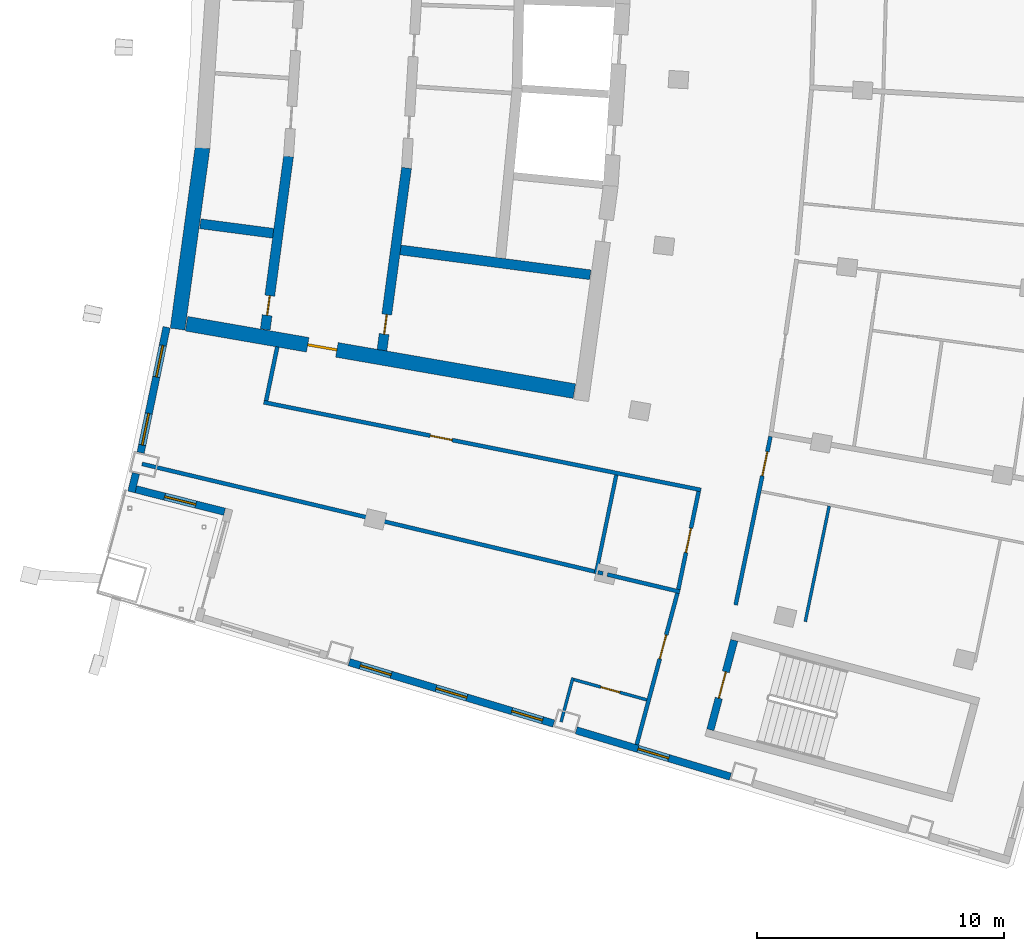
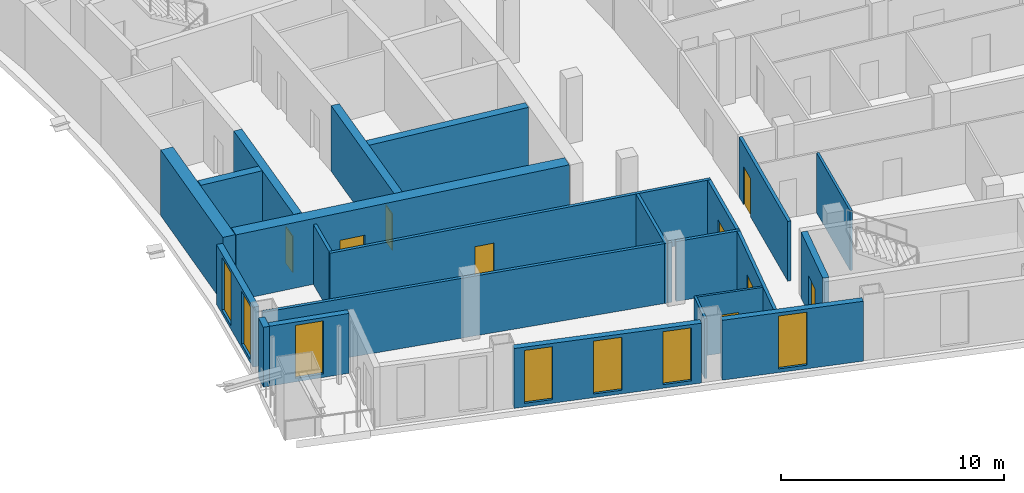
# One storey, part 9 of 21: 24 walls, 9 doors, 7 windows, 16 openings.
"""IFC4 building model written with IfcOpenShell, lengths in metres."""

from ifc_helpers import new_model, si_unit, direction, frame, frame_2d, origin, place, context, subcontext, project, spatial, rectangle, extrude, material, layer, layer_set, type_object, element, fill, save


model = new_model("IFC4")

# Units and contexts
model_context = context("Model", 3, precision=1e-05, world=origin(), true_north=direction((0.0, 1.0)))
body_context = subcontext(model_context, "Body", "Model", "MODEL_VIEW")
ifc_project = project(units=[si_unit("LENGTHUNIT", "METRE"), si_unit("AREAUNIT", "SQUARE_METRE"), si_unit("VOLUMEUNIT", "CUBIC_METRE"), si_unit("PLANEANGLEUNIT", "RADIAN"), si_unit("MASSUNIT", "GRAM", prefix="KILO")], contexts=[model_context])

# Site, building, storey
site_placement = place(None, origin())
site = spatial("IfcSite", under=ifc_project, at=site_placement, CompositionType="ELEMENT")
building_placement = place(site_placement, origin())
building = spatial("IfcBuilding", under=site, at=building_placement, Name="Alderwake Tower", CompositionType="ELEMENT")
storey_placement = place(building_placement, frame((0.0, 0.0, 207.199951171875)))
storey = spatial("IfcBuildingStorey", under=building, at=storey_placement, Name="L51", CompositionType="ELEMENT", Elevation=207.199951171875)

# Wall
ifc_material_1 = material(Name="Concrete C70/85", Category="concrete")
ifc_layer_1 = layer(ifc_material_1, 0.60009765625)
ifc_layer_set_1 = layer_set([ifc_layer_1], Name="Core wall outer 600 C70-85")
wall_type_1 = type_object("IfcWallType", Name="Core wall outer 600 C70-85", PredefinedType="SHEAR", material=ifc_layer_set_1)
wall_1_placement = place(storey_placement, frame((15.321533203125, 44.146240234375, 0.0), z_axis=(0.0, 0.0, 1.0), x_axis=(0.136316498814, 0.990665338119, 0.0)))
element("IfcWall", 1, at=wall_1_placement, inside=storey, type_object=wall_type_1, Name="Core wall CW.037", PredefinedType="SHEAR", context=body_context, shape_type="SweptSolid", body=[
    extrude(rectangle(XDim=7.41455078125, YDim=0.60009765625, at=frame_2d((3.707275390625, 0.0))), origin(), (0.0, 0.0, 1.0), 3.60009765625),
])

# Wall, opening, door
wall_2_placement = place(storey_placement, frame((31.386962890625, 41.63525390625, 0.0), z_axis=(0.0, 0.0, 1.0), x_axis=(-0.985223108003, 0.171275881127, 0.0)))
wall_2 = element("IfcWall", 2, at=wall_2_placement, inside=storey, type_object=wall_type_1, Name="Core wall CW.072", PredefinedType="SHEAR", context=body_context, shape_type="SweptSolid", body=[
    extrude(rectangle(XDim=15.937744140625, YDim=0.60009765625, at=frame_2d((7.96875, 0.0))), origin(), (0.0, 0.0, 1.0), 3.60009765625),
])
opening_1_placement = place(wall_2_placement, frame((9.757568359375, 0.0, 0.0)))
opening_1 = element("IfcOpeningElement", 3, at=opening_1_placement, cuts=wall_2, Name="Opening C003", PredefinedType="OPENING", context=body_context, shape_type="SweptSolid", body=[
    extrude(rectangle(XDim=1.199951171875, YDim=2.10009765625, at=frame_2d((0.60009765625, 1.050048828125))), frame((0.0, 0.31005859375, 0.0), z_axis=(0.0, -1.0, 0.0), x_axis=(1.0, 0.0, 0.0)), (0.0, 0.0, 1.0), 0.6201171875),
])
ifc_material_2 = material(Name="Steel-framed fire door leaf", Category="steel")
door_type_1 = type_object("IfcDoorType", Name="Core lobby exit door 1200 fire-rated", OperationType="SINGLE_SWING_LEFT", PredefinedType="DOOR", material=ifc_material_2)
door_1_placement = place(opening_1_placement, origin())
door_1 = element("IfcDoor", 4, at=door_1_placement, inside=storey, type_object=door_type_1, Name="Lobby door", OperationType="SINGLE_SWING_LEFT", OverallHeight=2.10009765625, OverallWidth=1.199951171875, PredefinedType="DOOR", context=body_context, shape_type="SweptSolid", body=[
    extrude(rectangle(XDim=1.199951171875, YDim=2.10009765625, at=frame_2d((0.60009765625, 1.050048828125))), frame((0.0, 0.050048828125, 0.0), z_axis=(0.0, -1.0, 0.0), x_axis=(1.0, 0.0, 0.0)), (0.0, 0.0, 1.0), 0.10009765625),
])
fill(opening_1, door_1)

ifc_material_3 = material(Name="Concrete C70/85", Category="concrete")
ifc_layer_2 = layer(ifc_material_3, 0.39990234375)
ifc_layer_set_2 = layer_set([ifc_layer_2], Name="Core wall spine 400 C70-85")
wall_type_2 = type_object("IfcWallType", Name="Core wall spine 400 C70-85", PredefinedType="SHEAR", material=ifc_layer_set_2)
wall_3_placement = place(storey_placement, frame((19.814697265625, 51.143798828125, 0.0), z_axis=(0.0, 0.0, 1.0), x_axis=(-0.133333838703, -0.991071181831, 0.0)))
wall_3 = element("IfcWall", 5, at=wall_3_placement, inside=storey, type_object=wall_type_2, Name="Core wall CW.033", PredefinedType="SHEAR", context=body_context, shape_type="SweptSolid", body=[
    extrude(rectangle(XDim=7.078857421875, YDim=0.39990234375, at=frame_2d((3.53955078125, 0.0))), origin(), (0.0, 0.0, 1.0), 3.60009765625),
])
opening_2_placement = place(wall_3_placement, frame((5.69677734375, 0.0, 0.0)))
opening_2 = element("IfcOpeningElement", 6, at=opening_2_placement, cuts=wall_3, Name="Opening C007", PredefinedType="OPENING", context=body_context, shape_type="SweptSolid", body=[
    extrude(rectangle(XDim=0.800048828125, YDim=2.0, at=frame_2d((0.39990234375, 1.0))), frame((0.0, 0.2099609375, 0.0), z_axis=(0.0, -1.0, 0.0), x_axis=(1.0, 0.0, 0.0)), (0.0, 0.0, 1.0), 0.419921875),
])
ifc_material_4 = material(Name="Painted steel leaf, rated", Category="steel")
door_type_2 = type_object("IfcDoorType", Name="Riser access door 800", OperationType="SINGLE_SWING_LEFT", PredefinedType="DOOR", material=ifc_material_4)
door_2_placement = place(opening_2_placement, origin())
door_2 = element("IfcDoor", 7, at=door_2_placement, inside=storey, type_object=door_type_2, Name="Riser access door", OperationType="SINGLE_SWING_LEFT", OverallHeight=2.0, OverallWidth=0.800048828125, PredefinedType="DOOR", context=body_context, shape_type="SweptSolid", body=[
    extrude(rectangle(XDim=0.800048828125, YDim=2.0, at=frame_2d((0.39990234375, 1.0))), frame((0.0, 0.02490234375, 0.0), z_axis=(0.0, -1.0, 0.0), x_axis=(1.0, 0.0, 0.0)), (0.0, 0.0, 1.0), 0.050048828125),
])
fill(opening_2, door_2)

wall_4_placement = place(storey_placement, frame((23.597412109375, 43.29248046875, 0.0), z_axis=(0.0, 0.0, 1.0), x_axis=(0.133499326361, 0.99104890387, 0.0)))
wall_4 = element("IfcWall", 8, at=wall_4_placement, inside=storey, type_object=wall_type_2, Name="Core wall CW.047", PredefinedType="SHEAR", context=body_context, shape_type="SweptSolid", body=[
    extrude(rectangle(XDim=7.44677734375, YDim=0.39990234375, at=frame_2d((3.723388671875, 0.0))), origin(), (0.0, 0.0, 1.0), 3.60009765625),
])
opening_3_placement = place(wall_4_placement, frame((0.65771484375, 0.0, 0.0)))
opening_3 = element("IfcOpeningElement", 9, at=opening_3_placement, cuts=wall_4, Name="Opening C014", PredefinedType="OPENING", context=body_context, shape_type="SweptSolid", body=[
    extrude(rectangle(XDim=0.800048828125, YDim=2.0, at=frame_2d((0.39990234375, 1.0))), frame((0.0, 0.2099609375, 0.0), z_axis=(0.0, -1.0, 0.0), x_axis=(1.0, 0.0, 0.0)), (0.0, 0.0, 1.0), 0.419921875),
])
door_3_placement = place(opening_3_placement, origin())
door_3 = element("IfcDoor", 10, at=door_3_placement, inside=storey, type_object=door_type_2, Name="Riser access door", OperationType="SINGLE_SWING_RIGHT", OverallHeight=2.0, OverallWidth=0.800048828125, PredefinedType="DOOR", context=body_context, shape_type="SweptSolid", body=[
    extrude(rectangle(XDim=0.800048828125, YDim=2.0, at=frame_2d((0.39990234375, 1.0))), frame((0.0, 0.02490234375, 0.0), z_axis=(0.0, -1.0, 0.0), x_axis=(1.0, 0.0, 0.0)), (0.0, 0.0, 1.0), 0.050048828125),
])
fill(opening_3, door_3)

# Walls
wall_5_placement = place(storey_placement, frame((16.24169921875, 48.412353515625, 0.0), z_axis=(0.0, 0.0, 1.0), x_axis=(0.991548658387, -0.129735338481, 0.0)))
element("IfcWall", 11, at=wall_5_placement, inside=storey, type_object=wall_type_2, Name="Core wall CW.067", PredefinedType="SHEAR", context=body_context, shape_type="SweptSolid", body=[
    extrude(rectangle(XDim=2.97705078125, YDim=0.39990234375, at=frame_2d((1.488525390625, 0.0))), origin(), (0.0, 0.0, 1.0), 3.60009765625),
])
wall_6_placement = place(storey_placement, frame((24.34619140625, 47.352294921875, 0.0), z_axis=(0.0, 0.0, 1.0), x_axis=(0.991554866591, -0.129687881233, 0.0)))
element("IfcWall", 12, at=wall_6_placement, inside=storey, type_object=wall_type_2, Name="Core wall CW.069", PredefinedType="SHEAR", context=body_context, shape_type="SweptSolid", body=[
    extrude(rectangle(XDim=7.752197265625, YDim=0.39990234375, at=frame_2d((3.8759765625, 0.0))), origin(), (0.0, 0.0, 1.0), 3.60009765625),
])

# Wall, opening, door
ifc_material_5 = material(Name="Concrete C70/85", Category="concrete")
ifc_layer_3 = layer(ifc_material_5, 0.300048828125)
ifc_layer_set_3 = layer_set([ifc_layer_3], Name="Core wall stair enclosure 300 C70-85")
wall_type_3 = type_object("IfcWallType", Name="Core wall stair enclosure 300 C70-85", PredefinedType="SHEAR", material=ifc_layer_set_3)
wall_7_placement = place(storey_placement, frame((36.89501953125, 27.923828125, 0.0), z_axis=(0.0, 0.0, 1.0), x_axis=(0.257350630826, 0.966318090907, 0.0)))
wall_7 = element("IfcWall", 13, at=wall_7_placement, inside=storey, type_object=wall_type_3, Name="Core wall CW.087", PredefinedType="SHEAR", context=body_context, shape_type="SweptSolid", body=[
    extrude(rectangle(XDim=3.75, YDim=0.300048828125, at=frame_2d((1.875, 0.0))), origin(), (0.0, 0.0, 1.0), 3.60009765625),
])
opening_4_placement = place(wall_7_placement, frame((1.324951171875, 0.0, 0.0)))
opening_4 = element("IfcOpeningElement", 14, at=opening_4_placement, cuts=wall_7, Name="Opening C065", PredefinedType="OPENING", context=body_context, shape_type="SweptSolid", body=[
    extrude(rectangle(XDim=1.10009765625, YDim=2.10009765625, at=frame_2d((0.550048828125, 1.050048828125))), frame((0.0, 0.159912109375, 0.0), z_axis=(0.0, -1.0, 0.0), x_axis=(1.0, 0.0, 0.0)), (0.0, 0.0, 1.0), 0.320068359375),
])
ifc_material_6 = material(Name="Steel-framed fire door leaf", Category="steel")
door_type_3 = type_object("IfcDoorType", Name="Core stair door 1100 fire-rated", OperationType="SINGLE_SWING_LEFT", PredefinedType="DOOR", material=ifc_material_6)
door_4_placement = place(opening_4_placement, origin())
door_4 = element("IfcDoor", 15, at=door_4_placement, inside=storey, type_object=door_type_3, Name="Stair door", OperationType="SINGLE_SWING_LEFT", OverallHeight=2.10009765625, OverallWidth=1.10009765625, PredefinedType="DOOR", context=body_context, shape_type="SweptSolid", body=[
    extrude(rectangle(XDim=1.10009765625, YDim=2.10009765625, at=frame_2d((0.550048828125, 1.050048828125))), frame((0.0, 0.02490234375, 0.0), z_axis=(0.0, -1.0, 0.0), x_axis=(1.0, 0.0, 0.0)), (0.0, 0.0, 1.0), 0.050048828125),
])
fill(opening_4, door_4)

# Wall
ifc_material_7 = material(Name="Gypsum board on metal studs, rated")
ifc_layer_4 = layer(ifc_material_7, 0.159912109375)
ifc_layer_set_4 = layer_set([ifc_layer_4], Name="Corridor wall 160")
wall_type_4 = type_object("IfcWallType", Name="Corridor wall 160", PredefinedType="PARTITIONING", material=ifc_layer_set_4)
wall_8_placement = place(storey_placement, frame((13.884033203125, 38.68798828125, 0.0), z_axis=(0.0, 0.0, 1.0), x_axis=(0.972897690171, -0.231235993004, 0.0)))
element("IfcWall", 16, at=wall_8_placement, inside=storey, type_object=wall_type_4, Name="WL/L51/W08", PredefinedType="PARTITIONING", context=body_context, shape_type="SweptSolid", body=[
    extrude(rectangle(XDim=18.8271484375, YDim=0.159912109375, at=frame_2d((9.41357421875, 0.0))), origin(), (0.0, 0.0, 1.0), 3.280029296875),
])

# Wall, opening, door
wall_9_placement = place(storey_placement, frame((36.513427734375, 37.63427734375, 0.0), z_axis=(0.0, 0.0, 1.0), x_axis=(-0.980470254867, 0.1966674333, 0.0)))
wall_9 = element("IfcWall", 17, at=wall_9_placement, inside=storey, type_object=wall_type_4, Name="WL/L51/W10", PredefinedType="PARTITIONING", context=body_context, shape_type="SweptSolid", body=[
    extrude(rectangle(XDim=18.053466796875, YDim=0.159912109375, at=frame_2d((9.02685546875, 0.0))), origin(), (0.0, 0.0, 1.0), 3.280029296875),
])
opening_5_placement = place(wall_9_placement, frame((10.277099609375, 0.0, 0.0)))
opening_5 = element("IfcOpeningElement", 18, at=opening_5_placement, cuts=wall_9, Name="Opening R14-SBS1", PredefinedType="OPENING", context=body_context, shape_type="SweptSolid", body=[
    extrude(rectangle(XDim=0.89990234375, YDim=2.10009765625, at=frame_2d((0.449951171875, 1.050048828125))), frame((0.0, 0.08984375, 0.0), z_axis=(0.0, -1.0, 0.0), x_axis=(1.0, 0.0, 0.0)), (0.0, 0.0, 1.0), 0.179931640625),
])
ifc_material_8 = material(Name="Painted timber leaf", Category="wood")
door_type_4 = type_object("IfcDoorType", Name="Room door 900", OperationType="SINGLE_SWING_LEFT", PredefinedType="DOOR", material=ifc_material_8)
door_5_placement = place(opening_5_placement, origin())
door_5 = element("IfcDoor", 19, at=door_5_placement, inside=storey, type_object=door_type_4, Name="DR/L51/SBS1", OperationType="SINGLE_SWING_LEFT", OverallHeight=2.10009765625, OverallWidth=0.89990234375, PredefinedType="DOOR", context=body_context, shape_type="SweptSolid", body=[
    extrude(rectangle(XDim=0.89990234375, YDim=2.10009765625, at=frame_2d((0.449951171875, 1.050048828125))), frame((0.0, 0.02490234375, 0.0), z_axis=(0.0, -1.0, 0.0), x_axis=(1.0, 0.0, 0.0)), (0.0, 0.0, 1.0), 0.050048828125),
])
fill(opening_5, door_5)

# Walls
wall_10_placement = place(storey_placement, frame((19.35888671875, 43.430908203125, 0.0), z_axis=(0.0, 0.0, 1.0), x_axis=(-0.202554916658, -0.979270905183, 0.0)))
element("IfcWall", 20, at=wall_10_placement, inside=storey, type_object=wall_type_4, Name="WL/L51/W11", PredefinedType="PARTITIONING", context=body_context, shape_type="SweptSolid", body=[
    extrude(rectangle(XDim=2.229736328125, YDim=0.159912109375, at=frame_2d((1.11474609375, 0.0))), origin(), (0.0, 0.0, 1.0), 3.280029296875),
])
wall_11_placement = place(storey_placement, frame((32.343994140625, 34.300048828125, 0.0), z_axis=(0.0, 0.0, 1.0), x_axis=(0.974391195695, -0.224859506699, 0.0)))
element("IfcWall", 21, at=wall_11_placement, inside=storey, type_object=wall_type_4, Name="WL/L51/W13", PredefinedType="PARTITIONING", context=body_context, shape_type="SweptSolid", body=[
    extrude(rectangle(XDim=0.205322265625, YDim=0.159912109375, at=frame_2d((0.1025390625, 0.0))), origin(), (0.0, 0.0, 1.0), 3.280029296875),
])
wall_12_placement = place(storey_placement, frame((32.725341796875, 34.210205078125, 0.0), z_axis=(0.0, 0.0, 1.0), x_axis=(0.972838360224, -0.231485474442, 0.0)))
element("IfcWall", 22, at=wall_12_placement, inside=storey, type_object=wall_type_4, Name="WL/L51/W14", PredefinedType="PARTITIONING", context=body_context, shape_type="SweptSolid", body=[
    extrude(rectangle(XDim=3.01416015625, YDim=0.159912109375, at=frame_2d((1.507080078125, 0.0))), origin(), (0.0, 0.0, 1.0), 3.280029296875),
])

# Wall, opening, door
wall_13_placement = place(storey_placement, frame((33.912109375, 27.321044921875, 0.0), z_axis=(0.0, 0.0, 1.0), x_axis=(0.259370874835, 0.965777794986, 0.0)))
wall_13 = element("IfcWall", 23, at=wall_13_placement, inside=storey, type_object=wall_type_4, Name="WL/L51/W16", PredefinedType="PARTITIONING", context=body_context, shape_type="SweptSolid", body=[
    extrude(rectangle(XDim=6.349853515625, YDim=0.159912109375, at=frame_2d((3.1748046875, 0.0))), origin(), (0.0, 0.0, 1.0), 3.280029296875),
])
opening_6_placement = place(wall_13_placement, frame((3.603515625, 0.0, 0.0)))
opening_6 = element("IfcOpeningElement", 24, at=opening_6_placement, cuts=wall_13, Name="Opening R14-U09.1", PredefinedType="OPENING", context=body_context, shape_type="SweptSolid", body=[
    extrude(rectangle(XDim=1.0, YDim=2.10009765625, at=frame_2d((0.5, 1.050048828125))), frame((0.0, 0.08984375, 0.0), z_axis=(0.0, -1.0, 0.0), x_axis=(1.0, 0.0, 0.0)), (0.0, 0.0, 1.0), 0.179931640625),
])
ifc_material_9 = material(Name="Solid timber leaf in steel frame", Category="steel")
door_type_5 = type_object("IfcDoorType", Name="Flat entrance door 1000 fire-rated", OperationType="SINGLE_SWING_LEFT", PredefinedType="DOOR", material=ifc_material_9)
door_6_placement = place(opening_6_placement, origin())
door_6 = element("IfcDoor", 25, at=door_6_placement, inside=storey, type_object=door_type_5, Name="DR/L51/U09.1", OperationType="SINGLE_SWING_LEFT", OverallHeight=2.10009765625, OverallWidth=1.0, PredefinedType="DOOR", context=body_context, shape_type="SweptSolid", body=[
    extrude(rectangle(XDim=1.0, YDim=2.10009765625, at=frame_2d((0.5, 1.050048828125))), frame((0.0, 0.02490234375, 0.0), z_axis=(0.0, -1.0, 0.0), x_axis=(1.0, 0.0, 0.0)), (0.0, 0.0, 1.0), 0.050048828125),
])
fill(opening_6, door_6)

wall_14_placement = place(storey_placement, frame((35.59619140625, 33.609375, 0.0), z_axis=(0.0, 0.0, 1.0), x_axis=(0.203245920818, 0.979127721838, 0.0)))
wall_14 = element("IfcWall", 26, at=wall_14_placement, inside=storey, type_object=wall_type_4, Name="WL/L51/W18", PredefinedType="PARTITIONING", context=body_context, shape_type="SweptSolid", body=[
    extrude(rectangle(XDim=4.046875, YDim=0.159912109375, at=frame_2d((2.0234375, 0.0))), origin(), (0.0, 0.0, 1.0), 3.280029296875),
])
opening_7_placement = place(wall_14_placement, frame((1.5234375, 0.0, 0.0)))
opening_7 = element("IfcOpeningElement", 27, at=opening_7_placement, cuts=wall_14, Name="Opening R14-SBS2", PredefinedType="OPENING", context=body_context, shape_type="SweptSolid", body=[
    extrude(rectangle(XDim=1.0, YDim=2.10009765625, at=frame_2d((0.5, 1.050048828125))), frame((0.0, 0.08984375, 0.0), z_axis=(0.0, -1.0, 0.0), x_axis=(1.0, 0.0, 0.0)), (0.0, 0.0, 1.0), 0.179931640625),
])
ifc_material_10 = material(Name="Steel-framed fire door leaf", Category="steel")
door_type_6 = type_object("IfcDoorType", Name="Plant room door 1000 fire-rated", OperationType="SINGLE_SWING_LEFT", PredefinedType="DOOR", material=ifc_material_10)
door_7_placement = place(opening_7_placement, origin())
door_7 = element("IfcDoor", 28, at=door_7_placement, inside=storey, type_object=door_type_6, Name="DR/L51/SBS2", OperationType="SINGLE_SWING_LEFT", OverallHeight=2.10009765625, OverallWidth=1.0, PredefinedType="DOOR", context=body_context, shape_type="SweptSolid", body=[
    extrude(rectangle(XDim=1.0, YDim=2.10009765625, at=frame_2d((0.5, 1.050048828125))), frame((0.0, 0.02490234375, 0.0), z_axis=(0.0, -1.0, 0.0), x_axis=(1.0, 0.0, 0.0)), (0.0, 0.0, 1.0), 0.050048828125),
])
fill(opening_7, door_7)

wall_15_placement = place(storey_placement, frame((39.32763671875, 39.799072265625, 0.0), z_axis=(0.0, 0.0, 1.0), x_axis=(-0.202466556983, -0.979289177569, 0.0)))
wall_15 = element("IfcWall", 29, at=wall_15_placement, inside=storey, type_object=wall_type_4, Name="WL/L51/W20", PredefinedType="PARTITIONING", context=body_context, shape_type="SweptSolid", body=[
    extrude(rectangle(XDim=6.96728515625, YDim=0.159912109375, at=frame_2d((3.483642578125, 0.0))), origin(), (0.0, 0.0, 1.0), 3.280029296875),
])
opening_8_placement = place(wall_15_placement, frame((0.62744140625, 0.0, 0.0)))
opening_8 = element("IfcOpeningElement", 30, at=opening_8_placement, cuts=wall_15, Name="Opening R14-U03.2", PredefinedType="OPENING", context=body_context, shape_type="SweptSolid", body=[
    extrude(rectangle(XDim=1.0, YDim=2.10009765625, at=frame_2d((0.5, 1.050048828125))), frame((0.0, 0.08984375, 0.0), z_axis=(0.0, -1.0, 0.0), x_axis=(1.0, 0.0, 0.0)), (0.0, 0.0, 1.0), 0.179931640625),
])
door_8_placement = place(opening_8_placement, origin())
door_8 = element("IfcDoor", 31, at=door_8_placement, inside=storey, type_object=door_type_5, Name="DR/L51/U03.2", OperationType="SINGLE_SWING_LEFT", OverallHeight=2.10009765625, OverallWidth=1.0, PredefinedType="DOOR", context=body_context, shape_type="SweptSolid", body=[
    extrude(rectangle(XDim=1.0, YDim=2.10009765625, at=frame_2d((0.5, 1.050048828125))), frame((0.0, 0.02490234375, 0.0), z_axis=(0.0, -1.0, 0.0), x_axis=(1.0, 0.0, 0.0)), (0.0, 0.0, 1.0), 0.050048828125),
])
fill(opening_8, door_8)

# Wall
ifc_material_11 = material(Name="Precast concrete C50/60 spandrel panel", Category="concrete")
ifc_layer_5 = layer(ifc_material_11, 0.300048828125)
ifc_layer_set_5 = layer_set([ifc_layer_5], Name="External wall EW1 Precast concrete C50/60 spandrel")
wall_type_5 = type_object("IfcWallType", Name="External wall EW1 Precast concrete C50/60 spandrel", PredefinedType="SOLIDWALL", material=ifc_layer_set_5)
wall_16_placement = place(storey_placement, frame((13.63720703125, 38.30712890625, 0.0), z_axis=(0.0, 0.0, 1.0), x_axis=(-0.23817684901, -0.971221801957, 0.0)))
element("IfcWall", 32, at=wall_16_placement, inside=storey, type_object=wall_type_5, Name="External wall 1", PredefinedType="SOLIDWALL", context=body_context, shape_type="SweptSolid", body=[
    extrude(rectangle(XDim=0.778076171875, YDim=0.300048828125, at=frame_2d((0.38916015625, 0.0))), origin(), (0.0, 0.0, 1.0), 3.280029296875),
])

# Wall, openings, windows
wall_17_placement = place(storey_placement, frame((14.878173828125, 44.223388671875, 0.0), z_axis=(0.0, 0.0, 1.0), x_axis=(-0.202730149235, -0.979234643276, 0.0)))
wall_17 = element("IfcWall", 33, at=wall_17_placement, inside=storey, type_object=wall_type_5, Name="External wall 32", PredefinedType="SOLIDWALL", context=body_context, shape_type="SweptSolid", body=[
    extrude(rectangle(XDim=5.185546875, YDim=0.300048828125, at=frame_2d((2.5927734375, 0.0))), origin(), (0.0, 0.0, 1.0), 3.280029296875),
])
opening_9_placement = place(wall_17_placement, frame((0.75634765625, 0.0, 0.199951171875)))
opening_9 = element("IfcOpeningElement", 34, at=opening_9_placement, cuts=wall_17, Name="Opening W1", PredefinedType="OPENING", context=body_context, shape_type="SweptSolid", body=[
    extrude(rectangle(XDim=1.300048828125, YDim=2.89990234375, at=frame_2d((0.64990234375, 1.449951171875))), frame((0.0, 0.159912109375, 0.0), z_axis=(0.0, -1.0, 0.0), x_axis=(1.0, 0.0, 0.0)), (0.0, 0.0, 1.0), 0.320068359375),
])
opening_10_placement = place(wall_17_placement, frame((3.569091796875, 0.0, 0.199951171875)))
opening_10 = element("IfcOpeningElement", 35, at=opening_10_placement, cuts=wall_17, Name="Opening W1", PredefinedType="OPENING", context=body_context, shape_type="SweptSolid", body=[
    extrude(rectangle(XDim=1.300048828125, YDim=2.89990234375, at=frame_2d((0.64990234375, 1.449951171875))), frame((0.0, 0.159912109375, 0.0), z_axis=(0.0, -1.0, 0.0), x_axis=(1.0, 0.0, 0.0)), (0.0, 0.0, 1.0), 0.320068359375),
])
ifc_material_12 = material(Name="Bronze tinted glass in aluminium frame", Category="aluminium")
window_type = type_object("IfcWindowType", Name="Window W1 tall fixed and vent", PartitioningType="DOUBLE_PANEL_VERTICAL", PredefinedType="WINDOW", material=ifc_material_12)
window_1_placement = place(opening_9_placement, origin())
window_1 = element("IfcWindow", 36, at=window_1_placement, inside=storey, type_object=window_type, Name="Window W1 tall fixed and vent", OverallHeight=2.89990234375, OverallWidth=1.300048828125, PartitioningType="DOUBLE_PANEL_VERTICAL", PredefinedType="WINDOW", context=body_context, shape_type="SweptSolid", body=[
    extrude(rectangle(XDim=1.300048828125, YDim=2.89990234375, at=frame_2d((0.64990234375, 1.449951171875))), frame((0.0, 0.030029296875, 0.0), z_axis=(0.0, -1.0, 0.0), x_axis=(1.0, 0.0, 0.0)), (0.0, 0.0, 1.0), 0.06005859375),
])
fill(opening_9, window_1)
window_2_placement = place(opening_10_placement, origin())
window_2 = element("IfcWindow", 37, at=window_2_placement, inside=storey, type_object=window_type, Name="Window W1 tall fixed and vent", OverallHeight=2.89990234375, OverallWidth=1.300048828125, PartitioningType="DOUBLE_PANEL_VERTICAL", PredefinedType="WINDOW", context=body_context, shape_type="SweptSolid", body=[
    extrude(rectangle(XDim=1.300048828125, YDim=2.89990234375, at=frame_2d((0.64990234375, 1.449951171875))), frame((0.0, 0.030029296875, 0.0), z_axis=(0.0, -1.0, 0.0), x_axis=(1.0, 0.0, 0.0)), (0.0, 0.0, 1.0), 0.06005859375),
])
fill(opening_10, window_2)

# Wall, opening, window
ifc_material_13 = material(Name="Bronze metal cladding on lightweight framing")
ifc_layer_6 = layer(ifc_material_13, 0.300048828125)
ifc_layer_set_6 = layer_set([ifc_layer_6], Name="External wall EW2 bronze metal cladding")
wall_type_6 = type_object("IfcWallType", Name="External wall EW2 bronze metal cladding", PredefinedType="SOLIDWALL", material=ifc_layer_set_6)
wall_18_placement = place(storey_placement, frame((13.633056640625, 37.660400390625, 0.0), z_axis=(0.0, 0.0, 1.0), x_axis=(0.969417366605, -0.245417948254, 0.0)))
wall_18 = element("IfcWall", 38, at=wall_18_placement, inside=storey, type_object=wall_type_6, Name="External wall 2", PredefinedType="SOLIDWALL", context=body_context, shape_type="SweptSolid", body=[
    extrude(rectangle(XDim=3.70556640625, YDim=0.300048828125, at=frame_2d((1.852783203125, 0.0))), origin(), (0.0, 0.0, 1.0), 3.280029296875),
])
opening_11_placement = place(wall_18_placement, frame((1.202880859375, 0.0, 0.199951171875)))
opening_11 = element("IfcOpeningElement", 39, at=opening_11_placement, cuts=wall_18, Name="Opening W1", PredefinedType="OPENING", context=body_context, shape_type="SweptSolid", body=[
    extrude(rectangle(XDim=1.300048828125, YDim=2.89990234375, at=frame_2d((0.64990234375, 1.449951171875))), frame((0.0, 0.159912109375, 0.0), z_axis=(0.0, -1.0, 0.0), x_axis=(1.0, 0.0, 0.0)), (0.0, 0.0, 1.0), 0.320068359375),
])
window_3_placement = place(opening_11_placement, origin())
window_3 = element("IfcWindow", 40, at=window_3_placement, inside=storey, type_object=window_type, Name="Window W1 tall fixed and vent", OverallHeight=2.89990234375, OverallWidth=1.300048828125, PartitioningType="DOUBLE_PANEL_VERTICAL", PredefinedType="WINDOW", context=body_context, shape_type="SweptSolid", body=[
    extrude(rectangle(XDim=1.300048828125, YDim=2.89990234375, at=frame_2d((0.64990234375, 1.449951171875))), frame((0.0, 0.030029296875, 0.0), z_axis=(0.0, -1.0, 0.0), x_axis=(1.0, 0.0, 0.0)), (0.0, 0.0, 1.0), 0.06005859375),
])
fill(opening_11, window_3)

# Wall, openings, windows
wall_19_placement = place(storey_placement, frame((22.270751953125, 30.660888671875, 0.0), z_axis=(0.0, 0.0, 1.0), x_axis=(0.957759421932, -0.287570669054, 0.0)))
wall_19 = element("IfcWall", 41, at=wall_19_placement, inside=storey, type_object=wall_type_6, Name="External wall 5", PredefinedType="SOLIDWALL", context=body_context, shape_type="SweptSolid", body=[
    extrude(rectangle(XDim=8.64599609375, YDim=0.300048828125, at=frame_2d((4.322998046875, 0.0))), origin(), (0.0, 0.0, 1.0), 3.280029296875),
])
opening_12_placement = place(wall_19_placement, frame((0.472900390625, 0.0, 0.199951171875)))
opening_12 = element("IfcOpeningElement", 42, at=opening_12_placement, cuts=wall_19, Name="Opening W1", PredefinedType="OPENING", context=body_context, shape_type="SweptSolid", body=[
    extrude(rectangle(XDim=1.300048828125, YDim=2.89990234375, at=frame_2d((0.64990234375, 1.449951171875))), frame((0.0, 0.159912109375, 0.0), z_axis=(0.0, -1.0, 0.0), x_axis=(1.0, 0.0, 0.0)), (0.0, 0.0, 1.0), 0.320068359375),
])
opening_13_placement = place(wall_19_placement, frame((3.673095703125, 0.0, 0.199951171875)))
opening_13 = element("IfcOpeningElement", 43, at=opening_13_placement, cuts=wall_19, Name="Opening W1", PredefinedType="OPENING", context=body_context, shape_type="SweptSolid", body=[
    extrude(rectangle(XDim=1.300048828125, YDim=2.89990234375, at=frame_2d((0.64990234375, 1.449951171875))), frame((0.0, 0.159912109375, 0.0), z_axis=(0.0, -1.0, 0.0), x_axis=(1.0, 0.0, 0.0)), (0.0, 0.0, 1.0), 0.320068359375),
])
opening_14_placement = place(wall_19_placement, frame((6.873046875, 0.0, 0.199951171875)))
opening_14 = element("IfcOpeningElement", 44, at=opening_14_placement, cuts=wall_19, Name="Opening W1", PredefinedType="OPENING", context=body_context, shape_type="SweptSolid", body=[
    extrude(rectangle(XDim=1.300048828125, YDim=2.89990234375, at=frame_2d((0.64990234375, 1.449951171875))), frame((0.0, 0.159912109375, 0.0), z_axis=(0.0, -1.0, 0.0), x_axis=(1.0, 0.0, 0.0)), (0.0, 0.0, 1.0), 0.320068359375),
])
window_4_placement = place(opening_12_placement, origin())
window_4 = element("IfcWindow", 45, at=window_4_placement, inside=storey, type_object=window_type, Name="Window W1 tall fixed and vent", OverallHeight=2.89990234375, OverallWidth=1.300048828125, PartitioningType="DOUBLE_PANEL_VERTICAL", PredefinedType="WINDOW", context=body_context, shape_type="SweptSolid", body=[
    extrude(rectangle(XDim=1.300048828125, YDim=2.89990234375, at=frame_2d((0.64990234375, 1.449951171875))), frame((0.0, 0.030029296875, 0.0), z_axis=(0.0, -1.0, 0.0), x_axis=(1.0, 0.0, 0.0)), (0.0, 0.0, 1.0), 0.06005859375),
])
fill(opening_12, window_4)
window_5_placement = place(opening_13_placement, origin())
window_5 = element("IfcWindow", 46, at=window_5_placement, inside=storey, type_object=window_type, Name="Window W1 tall fixed and vent", OverallHeight=2.89990234375, OverallWidth=1.300048828125, PartitioningType="DOUBLE_PANEL_VERTICAL", PredefinedType="WINDOW", context=body_context, shape_type="SweptSolid", body=[
    extrude(rectangle(XDim=1.300048828125, YDim=2.89990234375, at=frame_2d((0.64990234375, 1.449951171875))), frame((0.0, 0.030029296875, 0.0), z_axis=(0.0, -1.0, 0.0), x_axis=(1.0, 0.0, 0.0)), (0.0, 0.0, 1.0), 0.06005859375),
])
fill(opening_13, window_5)
window_6_placement = place(opening_14_placement, origin())
window_6 = element("IfcWindow", 47, at=window_6_placement, inside=storey, type_object=window_type, Name="Window W1 tall fixed and vent", OverallHeight=2.89990234375, OverallWidth=1.300048828125, PartitioningType="DOUBLE_PANEL_VERTICAL", PredefinedType="WINDOW", context=body_context, shape_type="SweptSolid", body=[
    extrude(rectangle(XDim=1.300048828125, YDim=2.89990234375, at=frame_2d((0.64990234375, 1.449951171875))), frame((0.0, 0.030029296875, 0.0), z_axis=(0.0, -1.0, 0.0), x_axis=(1.0, 0.0, 0.0)), (0.0, 0.0, 1.0), 0.06005859375),
])
fill(opening_14, window_6)

# Wall, opening, window
wall_20_placement = place(storey_placement, frame((31.465087890625, 27.900390625, 0.0), z_axis=(0.0, 0.0, 1.0), x_axis=(0.957767459143, -0.287543899616, 0.0)))
wall_20 = element("IfcWall", 48, at=wall_20_placement, inside=storey, type_object=wall_type_6, Name="External wall 6", PredefinedType="SOLIDWALL", context=body_context, shape_type="SweptSolid", body=[
    extrude(rectangle(XDim=6.51318359375, YDim=0.300048828125, at=frame_2d((3.256591796875, 0.0))), origin(), (0.0, 0.0, 1.0), 3.280029296875),
])
opening_15_placement = place(wall_20_placement, frame((2.6064453125, 0.0, 0.199951171875)))
opening_15 = element("IfcOpeningElement", 49, at=opening_15_placement, cuts=wall_20, Name="Opening W1", PredefinedType="OPENING", context=body_context, shape_type="SweptSolid", body=[
    extrude(rectangle(XDim=1.300048828125, YDim=2.89990234375, at=frame_2d((0.64990234375, 1.449951171875))), frame((0.0, 0.159912109375, 0.0), z_axis=(0.0, -1.0, 0.0), x_axis=(1.0, 0.0, 0.0)), (0.0, 0.0, 1.0), 0.320068359375),
])
window_7_placement = place(opening_15_placement, origin())
window_7 = element("IfcWindow", 50, at=window_7_placement, inside=storey, type_object=window_type, Name="Window W1 tall fixed and vent", OverallHeight=2.89990234375, OverallWidth=1.300048828125, PartitioningType="DOUBLE_PANEL_VERTICAL", PredefinedType="WINDOW", context=body_context, shape_type="SweptSolid", body=[
    extrude(rectangle(XDim=1.300048828125, YDim=2.89990234375, at=frame_2d((0.64990234375, 1.449951171875))), frame((0.0, 0.030029296875, 0.0), z_axis=(0.0, -1.0, 0.0), x_axis=(1.0, 0.0, 0.0)), (0.0, 0.0, 1.0), 0.06005859375),
])
fill(opening_15, window_7)

# Walls
ifc_material_14 = material(Name="Gypsum shaft wall system, rated")
ifc_layer_7 = layer(ifc_material_14, 0.14990234375)
ifc_layer_set_7 = layer_set([ifc_layer_7], Name="Riser and shaft wall 150")
wall_type_7 = type_object("IfcWallType", Name="Riser and shaft wall 150", PredefinedType="PARTITIONING", material=ifc_layer_set_7)
wall_21_placement = place(storey_placement, frame((32.2578125, 34.23876953125, 0.0), z_axis=(0.0, 0.0, 1.0), x_axis=(0.202579923059, 0.979265732462, 0.0)))
element("IfcWall", 51, at=wall_21_placement, inside=storey, type_object=wall_type_7, Name="WL/L51/W07", PredefinedType="PARTITIONING", context=body_context, shape_type="SweptSolid", body=[
    extrude(rectangle(XDim=4.086669921875, YDim=0.14990234375, at=frame_2d((2.04345703125, 0.0))), origin(), (0.0, 0.0, 1.0), 3.280029296875),
])
ifc_material_15 = material(Name="Moisture resistant gypsum board on metal studs")
ifc_layer_8 = layer(ifc_material_15, 0.1201171875)
ifc_layer_set_8 = layer_set([ifc_layer_8], Name="Wet room partition 120")
wall_type_8 = type_object("IfcWallType", Name="Wet room partition 120", PredefinedType="PARTITIONING", material=ifc_layer_set_8)
wall_22_placement = place(storey_placement, frame((31.32958984375, 30.031005859375, 0.0), z_axis=(0.0, 0.0, 1.0), x_axis=(-0.259368447521, -0.965778446866, 0.0)))
element("IfcWall", 52, at=wall_22_placement, inside=storey, type_object=wall_type_8, Name="WL/L51/W29", PredefinedType="PARTITIONING", context=body_context, shape_type="SweptSolid", body=[
    extrude(rectangle(XDim=1.8525390625, YDim=0.1201171875, at=frame_2d((0.92626953125, 0.0))), origin(), (0.0, 0.0, 1.0), 3.280029296875),
])

# Wall, opening, door
wall_23_placement = place(storey_placement, frame((34.31787109375, 29.136474609375, 0.0), z_axis=(0.0, 0.0, 1.0), x_axis=(-0.963351881246, 0.268240848677, 0.0)))
wall_23 = element("IfcWall", 53, at=wall_23_placement, inside=storey, type_object=wall_type_8, Name="WL/L51/W31", PredefinedType="PARTITIONING", context=body_context, shape_type="SweptSolid", body=[
    extrude(rectangle(XDim=3.05810546875, YDim=0.1201171875, at=frame_2d((1.529052734375, 0.0))), origin(), (0.0, 0.0, 1.0), 3.280029296875),
])
opening_16_placement = place(wall_23_placement, frame((1.129150390625, 0.0, 0.0)))
opening_16 = element("IfcOpeningElement", 54, at=opening_16_placement, cuts=wall_23, Name="Opening R14-U09.2", PredefinedType="OPENING", context=body_context, shape_type="SweptSolid", body=[
    extrude(rectangle(XDim=0.800048828125, YDim=2.10009765625, at=frame_2d((0.39990234375, 1.050048828125))), frame((0.0, 0.070068359375, 0.0), z_axis=(0.0, -1.0, 0.0), x_axis=(1.0, 0.0, 0.0)), (0.0, 0.0, 1.0), 0.14013671875),
])
ifc_material_16 = material(Name="Painted timber leaf", Category="wood")
door_type_7 = type_object("IfcDoorType", Name="Bathroom door 800", OperationType="SINGLE_SWING_LEFT", PredefinedType="DOOR", material=ifc_material_16)
door_9_placement = place(opening_16_placement, origin())
door_9 = element("IfcDoor", 55, at=door_9_placement, inside=storey, type_object=door_type_7, Name="DR/L51/U09.2", OperationType="SINGLE_SWING_LEFT", OverallHeight=2.10009765625, OverallWidth=0.800048828125, PredefinedType="DOOR", context=body_context, shape_type="SweptSolid", body=[
    extrude(rectangle(XDim=0.800048828125, YDim=2.10009765625, at=frame_2d((0.39990234375, 1.050048828125))), frame((0.0, 0.02490234375, 0.0), z_axis=(0.0, -1.0, 0.0), x_axis=(1.0, 0.0, 0.0)), (0.0, 0.0, 1.0), 0.050048828125),
])
fill(opening_16, door_9)

# Wall
wall_24_placement = place(storey_placement, frame((40.737060546875, 32.303955078125, 0.0), z_axis=(0.0, 0.0, 1.0), x_axis=(0.202548156077, 0.979272303535, 0.0)))
element("IfcWall", 56, at=wall_24_placement, inside=storey, type_object=wall_type_8, Name="WL/L51/W32", PredefinedType="PARTITIONING", context=body_context, shape_type="SweptSolid", body=[
    extrude(rectangle(XDim=4.778076171875, YDim=0.1201171875, at=frame_2d((2.38916015625, 0.0))), origin(), (0.0, 0.0, 1.0), 3.280029296875),
])

save(model, "model.ifc")
